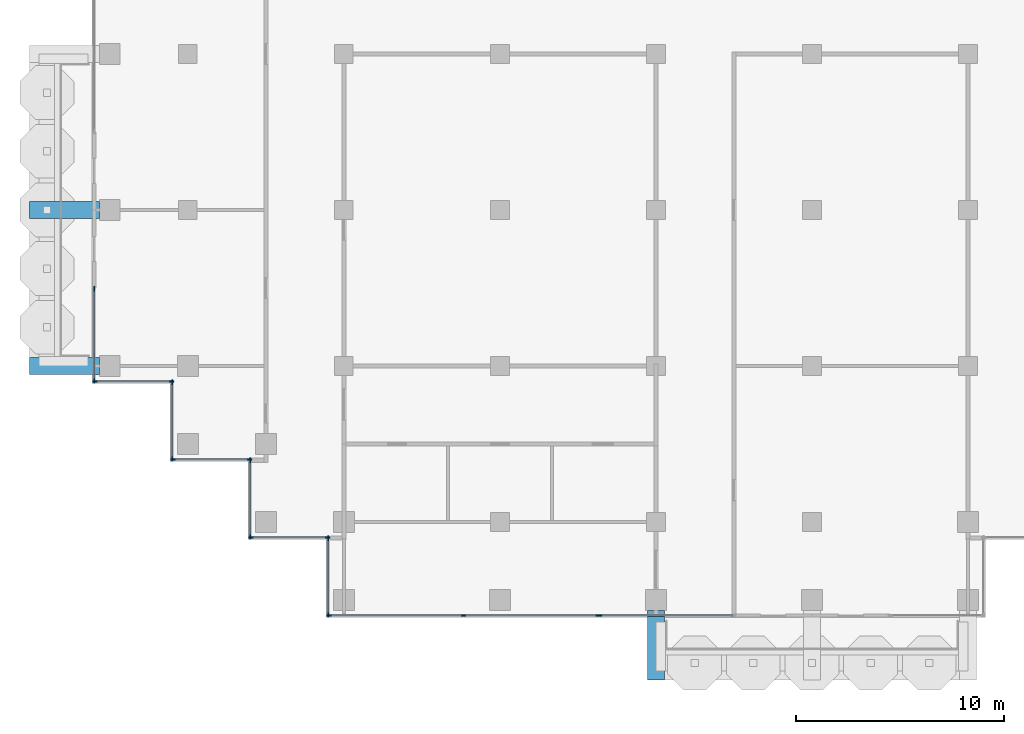
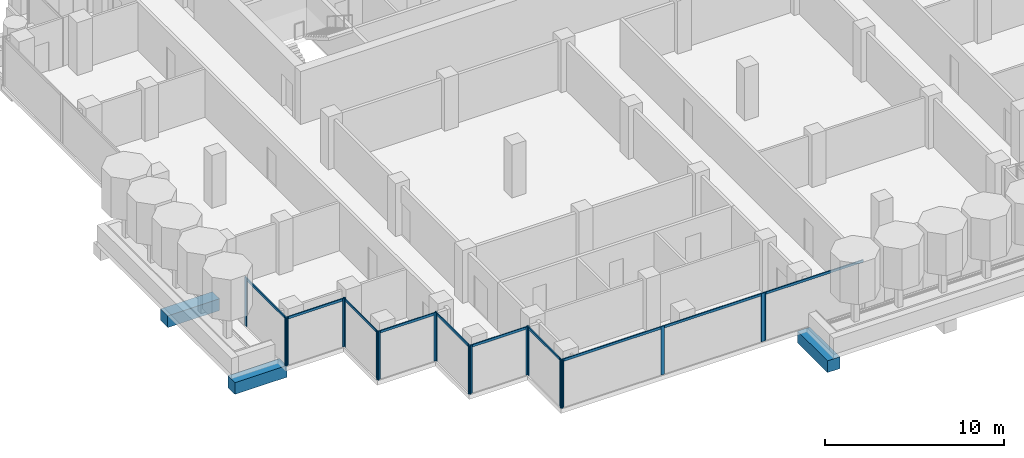
# One storey, part 2 of 18: 28 members, 3 beams, 9 elements without a shape of their own.
"""IFC4 building model written with IfcOpenShell, lengths in metres."""

from ifc_helpers import new_model, si_unit, direction, frame, origin, origin_2d, place, context, subcontext, project, spatial, rectangle, extrude, material, material_profile, profile_set, type_object, element, aggregate, save


model = new_model("IFC4")

# Units and contexts
model_context = context("Model", 3, precision=1e-05, world=origin(), true_north=direction((0.0, 1.0)))
body_context = subcontext(model_context, "Body", "Model", "MODEL_VIEW")
ifc_project = project(units=[si_unit("LENGTHUNIT", "METRE"), si_unit("AREAUNIT", "SQUARE_METRE"), si_unit("VOLUMEUNIT", "CUBIC_METRE"), si_unit("PLANEANGLEUNIT", "RADIAN"), si_unit("MASSUNIT", "GRAM", prefix="KILO")], contexts=[model_context])

# Site, building, storey
site_placement = place(None, origin())
site = spatial("IfcSite", under=ifc_project, at=site_placement, CompositionType="ELEMENT")
building_placement = place(site_placement, origin())
building = spatial("IfcBuilding", under=site, at=building_placement, Name="Pilkhan Gate Tower", CompositionType="ELEMENT")
storey_placement = place(building_placement, frame((0.0, 0.0, 210.300048828125)))
storey = spatial("IfcBuildingStorey", under=building, at=storey_placement, Name="L54", CompositionType="ELEMENT", Elevation=210.300048828125)

# Beams
ifc_material_1 = material(Name="Concrete C50/60", Category="concrete")
ifc_material_profile_1 = material_profile(ifc_material_1, rectangle(XDim=0.800048828125, YDim=0.800048828125, at=origin_2d()), Name="RC 800x800")
ifc_profile_set_1 = profile_set([ifc_material_profile_1], Name="Concrete C50/60")
beam_type = type_object("IfcBeamType", Name="Cantilever beam CB2 RC 800x800 C50/60", PredefinedType="BEAM", material=ifc_profile_set_1)
for number, where, z_axis, x_axis, name in (
    (1, (75.0, 40.75, -0.699951171875), (0.0, -1.0, 0.0), (1.0, 0.0, 0.0), "Balcony beam S.1 L54"),
    (2, (48.25, 52.5, -0.699951171875), (-1.0, 0.0, 0.0), (0.0, -1.0, 0.0), "Balcony beam W.1 L54"),
    (3, (48.25, 60.0, -0.699951171875), (-1.0, 0.0, 0.0), (0.0, -1.0, 0.0), "Balcony beam W.2 L54"),
):
    element("IfcBeam", number, at=place(storey_placement, frame(where, z_axis=z_axis, x_axis=x_axis)), inside=storey, type_object=beam_type, Name=name, PredefinedType="BEAM", context=body_context, shape_type="SweptSolid", body=[
        extrude(rectangle(XDim=0.800048828125, YDim=0.800048828125, at=origin_2d()), origin(), (0.0, 0.0, 1.0), 3.35009765625),
    ])

# Curtain wall, members
ifc_material_2 = material(Name="Pale anodised aluminium, clear low-iron double glazing", Category="aluminium")
curtain_wall_type = type_object("IfcCurtainWallType", Name="Office unitised curtain wall CW-O2", PredefinedType="USERDEFINED", material=ifc_material_2)
curtain_wall_1_placement = place(storey_placement, origin())
curtain_wall_1 = element("IfcCurtainWall", 4, at=curtain_wall_1_placement, inside=storey, type_object=curtain_wall_type, Name="Office unitised curtain wall CW-O2 L54 W", ObjectType="UNITISED CURTAIN WALL", PredefinedType="USERDEFINED")
ifc_material_3 = material(Name="Pale anodised aluminium", Category="aluminium")
ifc_material_profile_2 = material_profile(ifc_material_3, rectangle(XDim=0.06494140625, YDim=0.22509765625, at=origin_2d()), Name="Mullion 225x65")
ifc_profile_set_2 = profile_set([ifc_material_profile_2], Name="Pale anodised aluminium")
member_type_1 = type_object("IfcMemberType", Name="Mullion CW-O2 225x65", PredefinedType="MULLION", material=ifc_profile_set_2)
member_1_placement = place(storey_placement, frame((48.0, 51.782470703125, 0.0), z_axis=(0.0, 0.0, 1.0), x_axis=(-1.0, 0.0, 0.0)))
member_1 = element("IfcMember", 5, at=member_1_placement, type_object=member_type_1, Name="CW-O2 mullion 1", PredefinedType="MULLION", context=body_context, shape_type="SweptSolid", body=[
    extrude(rectangle(XDim=0.06494140625, YDim=0.22509765625, at=origin_2d()), origin(), (0.0, 0.0, 1.0), 3.300048828125),
])
member_2_placement = place(storey_placement, frame((48.0, 56.217529296875, 0.0), z_axis=(0.0, 0.0, 1.0), x_axis=(-1.0, 0.0, 0.0)))
member_2 = element("IfcMember", 6, at=member_2_placement, type_object=member_type_1, Name="CW-O2 mullion 2", PredefinedType="MULLION", context=body_context, shape_type="SweptSolid", body=[
    extrude(rectangle(XDim=0.06494140625, YDim=0.22509765625, at=origin_2d()), origin(), (0.0, 0.0, 1.0), 3.300048828125),
])

curtain_wall_2_placement = place(storey_placement, origin())
curtain_wall_2 = element("IfcCurtainWall", 7, at=curtain_wall_2_placement, inside=storey, type_object=curtain_wall_type, Name="Office unitised curtain wall CW-O2 L54 S", ObjectType="UNITISED CURTAIN WALL", PredefinedType="USERDEFINED")
member_3_placement = place(storey_placement, frame((48.032470703125, 51.75, 0.0), z_axis=(0.0, 0.0, 1.0), x_axis=(0.0, 1.0, 0.0)))
member_3 = element("IfcMember", 8, at=member_3_placement, type_object=member_type_1, Name="CW-O2 mullion 1", PredefinedType="MULLION", context=body_context, shape_type="SweptSolid", body=[
    extrude(rectangle(XDim=0.06494140625, YDim=0.22509765625, at=origin_2d()), origin(), (0.0, 0.0, 1.0), 3.300048828125),
])
member_4_placement = place(storey_placement, frame((51.717529296875, 51.75, 0.0), z_axis=(0.0, 0.0, 1.0), x_axis=(0.0, 1.0, 0.0)))
member_4 = element("IfcMember", 9, at=member_4_placement, type_object=member_type_1, Name="CW-O2 mullion 2", PredefinedType="MULLION", context=body_context, shape_type="SweptSolid", body=[
    extrude(rectangle(XDim=0.06494140625, YDim=0.22509765625, at=origin_2d()), origin(), (0.0, 0.0, 1.0), 3.300048828125),
])

curtain_wall_3_placement = place(storey_placement, origin())
curtain_wall_3 = element("IfcCurtainWall", 10, at=curtain_wall_3_placement, inside=storey, type_object=curtain_wall_type, Name="Office unitised curtain wall CW-O2 L54 W", ObjectType="UNITISED CURTAIN WALL", PredefinedType="USERDEFINED")
member_5_placement = place(storey_placement, frame((51.75, 48.032470703125, 0.0), z_axis=(0.0, 0.0, 1.0), x_axis=(-1.0, 0.0, 0.0)))
member_5 = element("IfcMember", 11, at=member_5_placement, type_object=member_type_1, Name="CW-O2 mullion 1", PredefinedType="MULLION", context=body_context, shape_type="SweptSolid", body=[
    extrude(rectangle(XDim=0.06494140625, YDim=0.22509765625, at=origin_2d()), origin(), (0.0, 0.0, 1.0), 3.300048828125),
])
member_6_placement = place(storey_placement, frame((51.75, 51.717529296875, 0.0), z_axis=(0.0, 0.0, 1.0), x_axis=(-1.0, 0.0, 0.0)))
member_6 = element("IfcMember", 12, at=member_6_placement, type_object=member_type_1, Name="CW-O2 mullion 2", PredefinedType="MULLION", context=body_context, shape_type="SweptSolid", body=[
    extrude(rectangle(XDim=0.06494140625, YDim=0.22509765625, at=origin_2d()), origin(), (0.0, 0.0, 1.0), 3.300048828125),
])

curtain_wall_4_placement = place(storey_placement, origin())
curtain_wall_4 = element("IfcCurtainWall", 13, at=curtain_wall_4_placement, inside=storey, type_object=curtain_wall_type, Name="Office unitised curtain wall CW-O2 L54 S", ObjectType="UNITISED CURTAIN WALL", PredefinedType="USERDEFINED")
member_7_placement = place(storey_placement, frame((51.782470703125, 48.0, 0.0), z_axis=(0.0, 0.0, 1.0), x_axis=(0.0, 1.0, 0.0)))
member_7 = element("IfcMember", 14, at=member_7_placement, type_object=member_type_1, Name="CW-O2 mullion 1", PredefinedType="MULLION", context=body_context, shape_type="SweptSolid", body=[
    extrude(rectangle(XDim=0.06494140625, YDim=0.22509765625, at=origin_2d()), origin(), (0.0, 0.0, 1.0), 3.300048828125),
])
member_8_placement = place(storey_placement, frame((55.467529296875, 48.0, 0.0), z_axis=(0.0, 0.0, 1.0), x_axis=(0.0, 1.0, 0.0)))
member_8 = element("IfcMember", 15, at=member_8_placement, type_object=member_type_1, Name="CW-O2 mullion 2", PredefinedType="MULLION", context=body_context, shape_type="SweptSolid", body=[
    extrude(rectangle(XDim=0.06494140625, YDim=0.22509765625, at=origin_2d()), origin(), (0.0, 0.0, 1.0), 3.300048828125),
])

curtain_wall_5_placement = place(storey_placement, origin())
curtain_wall_5 = element("IfcCurtainWall", 16, at=curtain_wall_5_placement, inside=storey, type_object=curtain_wall_type, Name="Office unitised curtain wall CW-O2 L54 W", ObjectType="UNITISED CURTAIN WALL", PredefinedType="USERDEFINED")
member_9_placement = place(storey_placement, frame((55.5, 44.282470703125, 0.0), z_axis=(0.0, 0.0, 1.0), x_axis=(-1.0, 0.0, 0.0)))
member_9 = element("IfcMember", 17, at=member_9_placement, type_object=member_type_1, Name="CW-O2 mullion 1", PredefinedType="MULLION", context=body_context, shape_type="SweptSolid", body=[
    extrude(rectangle(XDim=0.06494140625, YDim=0.22509765625, at=origin_2d()), origin(), (0.0, 0.0, 1.0), 3.300048828125),
])
member_10_placement = place(storey_placement, frame((55.5, 47.967529296875, 0.0), z_axis=(0.0, 0.0, 1.0), x_axis=(-1.0, 0.0, 0.0)))
member_10 = element("IfcMember", 18, at=member_10_placement, type_object=member_type_1, Name="CW-O2 mullion 2", PredefinedType="MULLION", context=body_context, shape_type="SweptSolid", body=[
    extrude(rectangle(XDim=0.06494140625, YDim=0.22509765625, at=origin_2d()), origin(), (0.0, 0.0, 1.0), 3.300048828125),
])

curtain_wall_6_placement = place(storey_placement, origin())
curtain_wall_6 = element("IfcCurtainWall", 19, at=curtain_wall_6_placement, inside=storey, type_object=curtain_wall_type, Name="Office unitised curtain wall CW-O2 L54 S", ObjectType="UNITISED CURTAIN WALL", PredefinedType="USERDEFINED")
member_11_placement = place(storey_placement, frame((55.532470703125, 44.25, 0.0), z_axis=(0.0, 0.0, 1.0), x_axis=(0.0, 1.0, 0.0)))
member_11 = element("IfcMember", 20, at=member_11_placement, type_object=member_type_1, Name="CW-O2 mullion 1", PredefinedType="MULLION", context=body_context, shape_type="SweptSolid", body=[
    extrude(rectangle(XDim=0.06494140625, YDim=0.22509765625, at=origin_2d()), origin(), (0.0, 0.0, 1.0), 3.300048828125),
])
member_12_placement = place(storey_placement, frame((59.217529296875, 44.25, 0.0), z_axis=(0.0, 0.0, 1.0), x_axis=(0.0, 1.0, 0.0)))
member_12 = element("IfcMember", 21, at=member_12_placement, type_object=member_type_1, Name="CW-O2 mullion 2", PredefinedType="MULLION", context=body_context, shape_type="SweptSolid", body=[
    extrude(rectangle(XDim=0.06494140625, YDim=0.22509765625, at=origin_2d()), origin(), (0.0, 0.0, 1.0), 3.300048828125),
])

curtain_wall_7_placement = place(storey_placement, origin())
curtain_wall_7 = element("IfcCurtainWall", 22, at=curtain_wall_7_placement, inside=storey, type_object=curtain_wall_type, Name="Office unitised curtain wall CW-O2 L54 W", ObjectType="UNITISED CURTAIN WALL", PredefinedType="USERDEFINED")
member_13_placement = place(storey_placement, frame((59.25, 40.532470703125, 0.0), z_axis=(0.0, 0.0, 1.0), x_axis=(-1.0, 0.0, 0.0)))
member_13 = element("IfcMember", 23, at=member_13_placement, type_object=member_type_1, Name="CW-O2 mullion 1", PredefinedType="MULLION", context=body_context, shape_type="SweptSolid", body=[
    extrude(rectangle(XDim=0.06494140625, YDim=0.22509765625, at=origin_2d()), origin(), (0.0, 0.0, 1.0), 3.300048828125),
])
member_14_placement = place(storey_placement, frame((59.25, 44.217529296875, 0.0), z_axis=(0.0, 0.0, 1.0), x_axis=(-1.0, 0.0, 0.0)))
member_14 = element("IfcMember", 24, at=member_14_placement, type_object=member_type_1, Name="CW-O2 mullion 2", PredefinedType="MULLION", context=body_context, shape_type="SweptSolid", body=[
    extrude(rectangle(XDim=0.06494140625, YDim=0.22509765625, at=origin_2d()), origin(), (0.0, 0.0, 1.0), 3.300048828125),
])

curtain_wall_8_placement = place(storey_placement, origin())
curtain_wall_8 = element("IfcCurtainWall", 25, at=curtain_wall_8_placement, inside=storey, type_object=curtain_wall_type, Name="Office unitised curtain wall CW-O2 L54 S", ObjectType="UNITISED CURTAIN WALL", PredefinedType="USERDEFINED")
member_15_placement = place(storey_placement, frame((59.282470703125, 40.5, 0.0), z_axis=(0.0, 0.0, 1.0), x_axis=(0.0, 1.0, 0.0)))
member_15 = element("IfcMember", 26, at=member_15_placement, type_object=member_type_1, Name="CW-O2 mullion 1", PredefinedType="MULLION", context=body_context, shape_type="SweptSolid", body=[
    extrude(rectangle(XDim=0.06494140625, YDim=0.22509765625, at=origin_2d()), origin(), (0.0, 0.0, 1.0), 3.300048828125),
])
member_16_placement = place(storey_placement, frame((65.75, 40.5, 0.0), z_axis=(0.0, 0.0, 1.0), x_axis=(0.0, 1.0, 0.0)))
member_16 = element("IfcMember", 27, at=member_16_placement, type_object=member_type_1, Name="CW-O2 mullion 2", PredefinedType="MULLION", context=body_context, shape_type="SweptSolid", body=[
    extrude(rectangle(XDim=0.06494140625, YDim=0.22509765625, at=origin_2d()), origin(), (0.0, 0.0, 1.0), 3.300048828125),
])
member_17_placement = place(storey_placement, frame((72.217529296875, 40.5, 0.0), z_axis=(0.0, 0.0, 1.0), x_axis=(0.0, 1.0, 0.0)))
member_17 = element("IfcMember", 28, at=member_17_placement, type_object=member_type_1, Name="CW-O2 mullion 3", PredefinedType="MULLION", context=body_context, shape_type="SweptSolid", body=[
    extrude(rectangle(XDim=0.06494140625, YDim=0.22509765625, at=origin_2d()), origin(), (0.0, 0.0, 1.0), 3.300048828125),
])

# Curtain wall, member
curtain_wall_9_placement = place(storey_placement, origin())
curtain_wall_9 = element("IfcCurtainWall", 29, at=curtain_wall_9_placement, inside=storey, type_object=curtain_wall_type, Name="Office unitised curtain wall CW-O2 L54 S", ObjectType="UNITISED CURTAIN WALL", PredefinedType="USERDEFINED")
member_18_placement = place(storey_placement, frame((72.282470703125, 40.5, 0.0), z_axis=(0.0, 0.0, 1.0), x_axis=(0.0, 1.0, 0.0)))
member_18 = element("IfcMember", 30, at=member_18_placement, type_object=member_type_1, Name="CW-O2 mullion 1", PredefinedType="MULLION", context=body_context, shape_type="SweptSolid", body=[
    extrude(rectangle(XDim=0.06494140625, YDim=0.22509765625, at=origin_2d()), origin(), (0.0, 0.0, 1.0), 3.300048828125),
])

# Member
ifc_material_profile_3 = material_profile(ifc_material_3, rectangle(XDim=0.06494140625, YDim=0.1650390625, at=origin_2d()), Name="Transom 165x65")
ifc_profile_set_3 = profile_set([ifc_material_profile_3], Name="Pale anodised aluminium")
member_type_2 = type_object("IfcMemberType", Name="Transom CW-O2 165x65", PredefinedType="USERDEFINED", material=ifc_profile_set_3)
member_19_placement = place(storey_placement, frame((48.0, 51.81494140625, 3.217529296875), z_axis=(0.0, 1.0, 0.0), x_axis=(-1.0, 0.0, 0.0)))
member_19 = element("IfcMember", 31, at=member_19_placement, type_object=member_type_2, Name="CW-O2 transom 1", ObjectType="TRANSOM", PredefinedType="USERDEFINED", context=body_context, shape_type="SweptSolid", body=[
    extrude(rectangle(XDim=0.06494140625, YDim=0.1650390625, at=origin_2d()), origin(), (0.0, 0.0, 1.0), 4.3701171875),
])

aggregate(curtain_wall_1, [member_1, member_2, member_19])

member_20_placement = place(storey_placement, frame((48.06494140625, 51.75, 3.217529296875), z_axis=(1.0, 0.0, 0.0), x_axis=(0.0, 1.0, 0.0)))
member_20 = element("IfcMember", 32, at=member_20_placement, type_object=member_type_2, Name="CW-O2 transom 1", ObjectType="TRANSOM", PredefinedType="USERDEFINED", context=body_context, shape_type="SweptSolid", body=[
    extrude(rectangle(XDim=0.06494140625, YDim=0.1650390625, at=origin_2d()), origin(), (0.0, 0.0, 1.0), 3.6201171875),
])

aggregate(curtain_wall_2, [member_3, member_4, member_20])

member_21_placement = place(storey_placement, frame((51.75, 48.06494140625, 3.217529296875), z_axis=(0.0, 1.0, 0.0), x_axis=(-1.0, 0.0, 0.0)))
member_21 = element("IfcMember", 33, at=member_21_placement, type_object=member_type_2, Name="CW-O2 transom 1", ObjectType="TRANSOM", PredefinedType="USERDEFINED", context=body_context, shape_type="SweptSolid", body=[
    extrude(rectangle(XDim=0.06494140625, YDim=0.1650390625, at=origin_2d()), origin(), (0.0, 0.0, 1.0), 3.6201171875),
])

aggregate(curtain_wall_3, [member_5, member_6, member_21])

member_22_placement = place(storey_placement, frame((51.81494140625, 48.0, 3.217529296875), z_axis=(1.0, 0.0, 0.0), x_axis=(0.0, 1.0, 0.0)))
member_22 = element("IfcMember", 34, at=member_22_placement, type_object=member_type_2, Name="CW-O2 transom 1", ObjectType="TRANSOM", PredefinedType="USERDEFINED", context=body_context, shape_type="SweptSolid", body=[
    extrude(rectangle(XDim=0.06494140625, YDim=0.1650390625, at=origin_2d()), origin(), (0.0, 0.0, 1.0), 3.6201171875),
])

aggregate(curtain_wall_4, [member_7, member_8, member_22])

member_23_placement = place(storey_placement, frame((55.5, 44.31494140625, 3.217529296875), z_axis=(0.0, 1.0, 0.0), x_axis=(-1.0, 0.0, 0.0)))
member_23 = element("IfcMember", 35, at=member_23_placement, type_object=member_type_2, Name="CW-O2 transom 1", ObjectType="TRANSOM", PredefinedType="USERDEFINED", context=body_context, shape_type="SweptSolid", body=[
    extrude(rectangle(XDim=0.06494140625, YDim=0.1650390625, at=origin_2d()), origin(), (0.0, 0.0, 1.0), 3.6201171875),
])

aggregate(curtain_wall_5, [member_9, member_10, member_23])

member_24_placement = place(storey_placement, frame((55.56494140625, 44.25, 3.217529296875), z_axis=(1.0, 0.0, 0.0), x_axis=(0.0, 1.0, 0.0)))
member_24 = element("IfcMember", 36, at=member_24_placement, type_object=member_type_2, Name="CW-O2 transom 1", ObjectType="TRANSOM", PredefinedType="USERDEFINED", context=body_context, shape_type="SweptSolid", body=[
    extrude(rectangle(XDim=0.06494140625, YDim=0.1650390625, at=origin_2d()), origin(), (0.0, 0.0, 1.0), 3.6201171875),
])

aggregate(curtain_wall_6, [member_11, member_12, member_24])

member_25_placement = place(storey_placement, frame((59.25, 40.56494140625, 3.217529296875), z_axis=(0.0, 1.0, 0.0), x_axis=(-1.0, 0.0, 0.0)))
member_25 = element("IfcMember", 37, at=member_25_placement, type_object=member_type_2, Name="CW-O2 transom 1", ObjectType="TRANSOM", PredefinedType="USERDEFINED", context=body_context, shape_type="SweptSolid", body=[
    extrude(rectangle(XDim=0.06494140625, YDim=0.1650390625, at=origin_2d()), origin(), (0.0, 0.0, 1.0), 3.6201171875),
])

aggregate(curtain_wall_7, [member_13, member_14, member_25])

member_26_placement = place(storey_placement, frame((59.31494140625, 40.5, 3.217529296875), z_axis=(1.0, 0.0, 0.0), x_axis=(0.0, 1.0, 0.0)))
member_26 = element("IfcMember", 38, at=member_26_placement, type_object=member_type_2, Name="CW-O2 transom 1", ObjectType="TRANSOM", PredefinedType="USERDEFINED", context=body_context, shape_type="SweptSolid", body=[
    extrude(rectangle(XDim=0.06494140625, YDim=0.1650390625, at=origin_2d()), origin(), (0.0, 0.0, 1.0), 6.402587890625),
])

member_27_placement = place(storey_placement, frame((65.782470703125, 40.5, 3.217529296875), z_axis=(1.0, 0.0, 0.0), x_axis=(0.0, 1.0, 0.0)))
member_27 = element("IfcMember", 39, at=member_27_placement, type_object=member_type_2, Name="CW-O2 transom 2", ObjectType="TRANSOM", PredefinedType="USERDEFINED", context=body_context, shape_type="SweptSolid", body=[
    extrude(rectangle(XDim=0.06494140625, YDim=0.1650390625, at=origin_2d()), origin(), (0.0, 0.0, 1.0), 6.402587890625),
])

aggregate(curtain_wall_8, [member_15, member_16, member_17, member_26, member_27])

member_28_placement = place(storey_placement, frame((72.31494140625, 40.5, 3.217529296875), z_axis=(1.0, 0.0, 0.0), x_axis=(0.0, 1.0, 0.0)))
member_28 = element("IfcMember", 40, at=member_28_placement, type_object=member_type_2, Name="CW-O2 transom 1", ObjectType="TRANSOM", PredefinedType="USERDEFINED", context=body_context, shape_type="SweptSolid", body=[
    extrude(rectangle(XDim=0.06494140625, YDim=0.1650390625, at=origin_2d()), origin(), (0.0, 0.0, 1.0), 6.3701171875),
])

aggregate(curtain_wall_9, [member_18, member_28])

save(model, "model.ifc")
